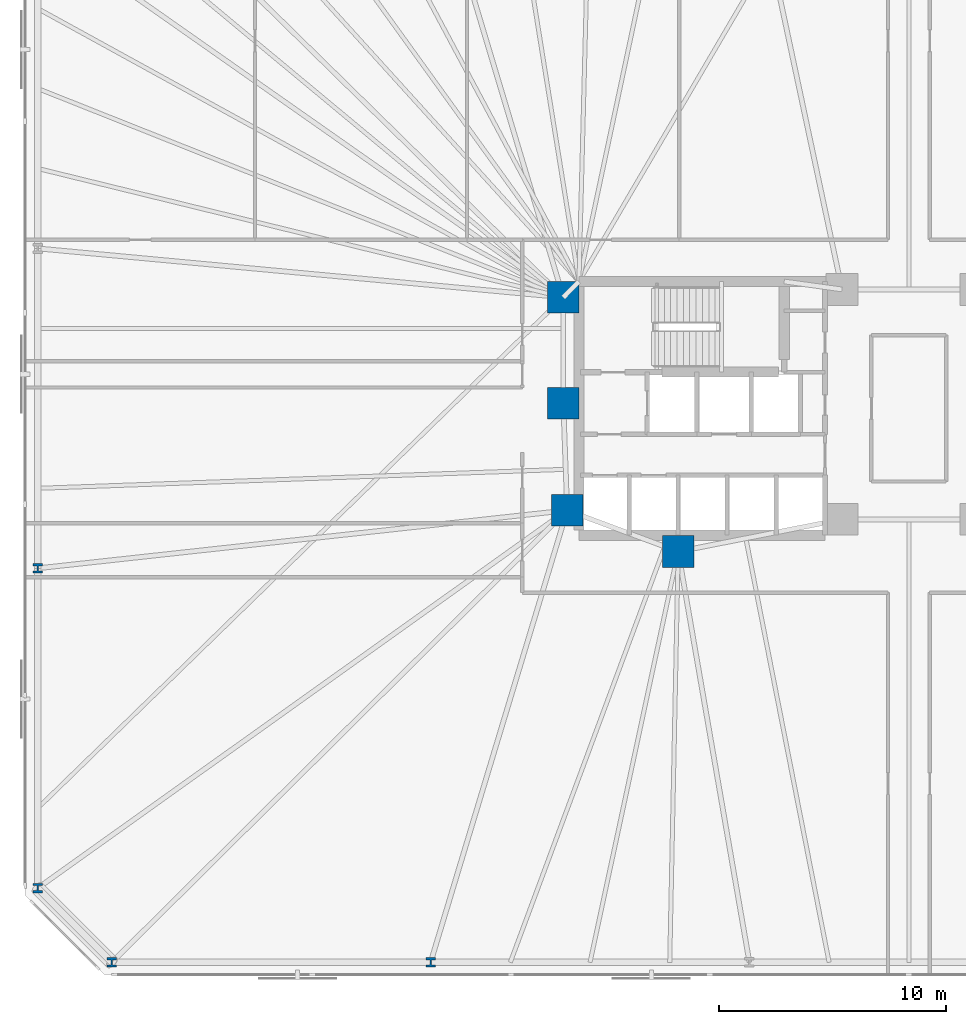
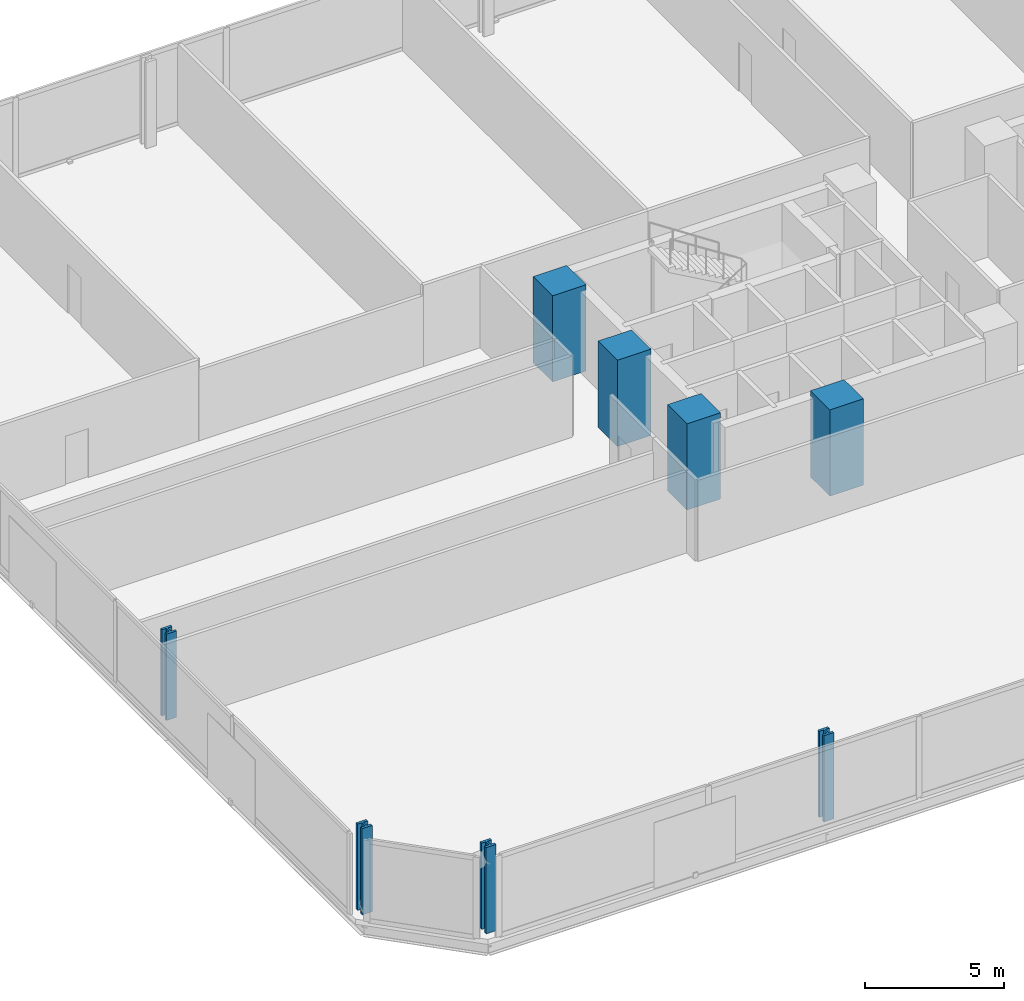
# One storey, part 1 of 16: 8 columns.
"""IFC4 building model written with IfcOpenShell, lengths in metres."""

import ifcopenshell
import ifcopenshell.guid

model = None  # the IFC model being written
_history = None  # IfcOwnerHistory: only IFC2X3 demands one
_inside = {}  # id of a spatial element -> (the spatial element, [elements in it])
_under = {}  # id of a project, library or spatial element -> (it, [spatial elements below it])
_declared = {}  # id of a project -> (the project, [libraries it declares])
_typed = {}  # id of a type object -> (the type object, [elements of that type])
_made_of = {}  # id of a material, layer set ... -> (it, [elements and type objects made of it])


def new_model(schema):
    """Start an empty IFC model of exactly this schema.

    Asked for "IFC4X3", IfcOpenShell would pick the latest addendum, in which some entities
    have other attributes; the version numbers below select the first issue.
    IFC2X3 requires an IfcOwnerHistory on every rooted entity: one is made here for all.
    """
    global model, _history
    if schema == "IFC4X3":
        model = ifcopenshell.file(schema_version=(4, 3, 0, 0))
    else:
        model = ifcopenshell.file(schema=schema)
    _inside.clear()
    _under.clear()
    _declared.clear()
    _typed.clear()
    _made_of.clear()
    _history = None
    if model.schema == "IFC2X3":
        org = make("IfcOrganization", Name="unknown")
        user = make(
            "IfcPersonAndOrganization",
            ThePerson=make("IfcPerson", FamilyName="unknown"),
            TheOrganization=org,
        )
        app = make(
            "IfcApplication",
            ApplicationDeveloper=org,
            Version="unknown",
            ApplicationFullName="unknown",
            ApplicationIdentifier="unknown",
        )
        _history = make(
            "IfcOwnerHistory",
            OwningUser=user,
            OwningApplication=app,
            ChangeAction="ADDED",
            CreationDate=0,
        )
    return model


def make(cls, **values):
    """One entity of the class cls with the attributes given. An attribute that is None is left unset."""
    return model.create_entity(
        cls, **{name: value for name, value in values.items() if value is not None}
    )


def rooted(cls, **values):
    """An entity with a GlobalId (a new one), such as an element, a storey or a relation."""
    return make(cls, GlobalId=ifcopenshell.guid.new(), OwnerHistory=_history, **values)


def si_unit(unit_type, name, prefix=None):
    """IfcSIUnit, for example si_unit("LENGTHUNIT", "METRE", prefix="MILLI")."""
    return make("IfcSIUnit", UnitType=unit_type, Prefix=prefix, Name=name)


def assignment(units):
    """IfcUnitAssignment: the units of a project."""
    return None if units is None else make("IfcUnitAssignment", Units=units)


def point(xyz):
    """IfcCartesianPoint."""
    return None if xyz is None else make("IfcCartesianPoint", Coordinates=xyz)


def direction(xyz):
    """IfcDirection."""
    return None if xyz is None else make("IfcDirection", DirectionRatios=xyz)


def frame(location, z_axis=None, x_axis=None):
    """IfcAxis2Placement3D, a coordinate frame: its origin and axes. An axis left out is left unset."""
    return make(
        "IfcAxis2Placement3D",
        Location=point(location),
        Axis=direction(z_axis),
        RefDirection=direction(x_axis),
    )


def frame_2d(location, x_axis=None):
    """IfcAxis2Placement2D, a coordinate frame in the plane: its origin and x axis."""
    return make(
        "IfcAxis2Placement2D", Location=point(location), RefDirection=direction(x_axis)
    )


def origin():
    """The frame at (0, 0, 0) with its axes left unset."""
    return frame((0.0, 0.0, 0.0))


def origin_2d():
    """The frame at (0, 0) in the plane with its x axis left unset."""
    return frame_2d((0.0, 0.0))


def place(relative_to, where):
    """IfcLocalPlacement: puts the frame where relative to a parent placement (None: the world)."""
    return make(
        "IfcLocalPlacement", PlacementRelTo=relative_to, RelativePlacement=where
    )


def context(
    kind, dimensions, precision=None, world=None, true_north=None, identifier=None
):
    """IfcGeometricRepresentationContext, for example the 3D "Model" context."""
    return make(
        "IfcGeometricRepresentationContext",
        ContextIdentifier=identifier,
        ContextType=kind,
        CoordinateSpaceDimension=dimensions,
        Precision=precision,
        WorldCoordinateSystem=world,
        TrueNorth=true_north,
    )


def subcontext(parent, identifier, kind, view, scale=None):
    """IfcGeometricRepresentationSubContext, for example "Body" below "Model"."""
    return make(
        "IfcGeometricRepresentationSubContext",
        ContextIdentifier=identifier,
        ContextType=kind,
        ParentContext=parent,
        TargetScale=scale,
        TargetView=view,
    )


def project(units=None, contexts=None):
    """IfcProject with its units and contexts."""
    return rooted(
        "IfcProject",
        Name="project",
        RepresentationContexts=contexts,
        UnitsInContext=assignment(units),
    )


def spatial(cls, under=None, at=None, **own):
    """A site, building, storey or space (cls), placed at a placement, below another one or the project."""
    s = rooted(cls, ObjectPlacement=at, **own)
    if under is not None:
        _under.setdefault(under.id(), (under, []))[1].append(s)
    return s


def profile(cls, at=None, kind="AREA", **sizes):
    """A parametric profile (cls). Its sizes go by their IFC names, for example OverallWidth=200.0."""
    return make(cls, ProfileType=kind, Position=at, **sizes)


def rectangle(**sizes):
    """IfcRectangleProfileDef."""
    return profile("IfcRectangleProfileDef", **sizes)


def i_section(**sizes):
    """IfcIShapeProfileDef."""
    return profile("IfcIShapeProfileDef", **sizes)


def extrude(swept, where, along, depth):
    """IfcExtrudedAreaSolid: the profile swept, set in the frame where, extruded along a direction by depth."""
    return make(
        "IfcExtrudedAreaSolid",
        SweptArea=swept,
        Position=where,
        ExtrudedDirection=direction(along),
        Depth=depth,
    )


def shape(context_of_items, identifier, shape_type, items):
    """IfcShapeRepresentation: the items that make up one representation, for example the "Body"."""
    return make(
        "IfcShapeRepresentation",
        ContextOfItems=context_of_items,
        RepresentationIdentifier=identifier,
        RepresentationType=shape_type,
        Items=items,
    )


def material(Name=None, Category=None):
    """IfcMaterial."""
    return make("IfcMaterial", Name=Name, Category=Category)


def material_profile(
    of_material, cross_section, Name=None, Category=None, Priority=None
):
    """IfcMaterialProfile: a cross section and its material."""
    return make(
        "IfcMaterialProfile",
        Name=Name,
        Material=of_material,
        Profile=cross_section,
        Priority=Priority,
        Category=Category,
    )


def profile_set(profiles, Name=None, composite=None):
    """IfcMaterialProfileSet."""
    return make(
        "IfcMaterialProfileSet",
        Name=Name,
        MaterialProfiles=profiles,
        CompositeProfile=composite,
    )


def made_of(thing, what):
    """Note that an element or type object is made of a material, layer set ...; save() writes the relation."""
    if what is not None:
        _made_of.setdefault(what.id(), (what, []))[1].append(thing)
    return thing


def type_object(cls, material=None, **own):
    """A type object (cls), such as IfcWallType, which elements share."""
    return made_of(rooted(cls, **own), material)


def element(
    cls,
    number,
    at=None,
    inside=None,
    cuts=None,
    type_object=None,
    material=None,
    context=None,
    identifier="Body",
    shape_type=None,
    held_by="IfcProductDefinitionShape",
    body=None,
    shapes=None,
    **own,
):
    """One element of the class cls, such as IfcWall. Its Tag is "e" and its number.

    at: its placement. inside: the storey or other place that contains it. cuts: it is an
    opening in that element (IfcRelVoidsElement). A single representation is given by context,
    identifier, shape_type and body (its items); several are given by shapes. held_by: the class
    of the entity that holds the representations. save() writes the other relations.
    """
    e = rooted(cls, Tag="e%d" % number, ObjectPlacement=at, **own)
    if body is not None:
        shapes = [shape(context, identifier, shape_type, body)]
    if shapes is not None:
        e.Representation = make(held_by, Representations=shapes)
    if inside is not None:
        _inside.setdefault(inside.id(), (inside, []))[1].append(e)
    if cuts is not None:
        rooted(
            "IfcRelVoidsElement", RelatingBuildingElement=cuts, RelatedOpeningElement=e
        )
    if type_object is not None:
        _typed.setdefault(type_object.id(), (type_object, []))[1].append(e)
    return made_of(e, material)


def aggregate(whole, parts):
    """IfcRelAggregates: a whole, such as a stair, and the parts it consists of."""
    return rooted("IfcRelAggregates", RelatingObject=whole, RelatedObjects=parts)


def save(model, path):
    """Write the relations noted so far, then the file.

    IfcRelAggregates (storeys below a building ...), IfcRelContainedInSpatialStructure (elements
    in a storey), IfcRelDefinesByType, IfcRelAssociatesMaterial and IfcRelDeclares: one each for
    every whole, place, type object, material and project.
    """
    for whole, parts in _under.values():
        aggregate(whole, parts)
    for where, things in _inside.values():
        rooted(
            "IfcRelContainedInSpatialStructure",
            RelatedElements=things,
            RelatingStructure=where,
        )
    for kind, things in _typed.values():
        rooted("IfcRelDefinesByType", RelatedObjects=things, RelatingType=kind)
    for what, things in _made_of.values():
        rooted("IfcRelAssociatesMaterial", RelatedObjects=things, RelatingMaterial=what)
    for by, libraries in _declared.values():
        rooted("IfcRelDeclares", RelatingContext=by, RelatedDefinitions=libraries)
    model.write(path)


model = new_model("IFC4")

# Units and contexts
model_context = context("Model", 3, precision=1e-05, world=origin(), true_north=direction((0.0, 1.0)))
body_context = subcontext(model_context, "Body", "Model", "MODEL_VIEW")
ifc_project = project(units=[si_unit("LENGTHUNIT", "METRE"), si_unit("AREAUNIT", "SQUARE_METRE"), si_unit("VOLUMEUNIT", "CUBIC_METRE"), si_unit("PLANEANGLEUNIT", "RADIAN"), si_unit("MASSUNIT", "GRAM", prefix="KILO")], contexts=[model_context])

# Site, building, storey
site_placement = place(None, origin())
site = spatial("IfcSite", under=ifc_project, at=site_placement, CompositionType="ELEMENT")
building_placement = place(site_placement, origin())
building = spatial("IfcBuilding", under=site, at=building_placement, Name="Menara Jurai Vektor", CompositionType="ELEMENT")
storey_placement = place(building_placement, frame((0.0, 0.0, 59.800048828125)))
storey = spatial("IfcBuildingStorey", under=building, at=storey_placement, Name="L14", CompositionType="ELEMENT", Elevation=59.800048828125)

# Columns
ifc_material_1 = material(Name="Concrete C60/75", Category="concrete")
ifc_material_profile_1 = material_profile(ifc_material_1, rectangle(XDim=1.39990234375, YDim=1.39990234375, at=origin_2d()), Name="RC 1400x1400")
ifc_profile_set_1 = profile_set([ifc_material_profile_1], Name="Concrete C60/75")
column_type_1 = type_object("IfcColumnType", Name="STR-COL-RC1400", PredefinedType="COLUMN", material=ifc_profile_set_1)
for number, where, z_axis, x_axis, name in (
    (1, (-15.25, 4.89990234375, 0.0), (0.0, 0.0, 1.0), (1.0, 0.0, 0.0), "Core Spine Column CW-NW L14"),
    (2, (-15.25, 0.219970703125, 0.0), (0.0, 0.0, 1.0), (1.0, 0.0, 0.0), "Core Spine Column CW-WM L14"),
    (3, (-15.080078125, -4.5, 0.0), (0.0, 0.0, 1.0), (1.0, 0.0, 0.0), "Core Spine Column CW-SW L14"),
    (4, (-10.179931640625, -6.320068359375, 0.0), (0.0, 0.0, 1.0), (1.0, 0.0, 0.0), "Core Spine Column CW-SM L14"),
):
    element("IfcColumn", number, at=place(storey_placement, frame(where, z_axis=z_axis, x_axis=x_axis)), inside=storey, type_object=column_type_1, Name=name, PredefinedType="COLUMN", context=body_context, shape_type="SweptSolid", body=[
        extrude(rectangle(XDim=1.39990234375, YDim=1.39990234375, at=origin_2d()), origin(), (0.0, 0.0, 1.0), 3.800048828125),
    ])
ifc_material_2 = material(Name="Steel S460", Category="steel")
ifc_material_profile_2 = material_profile(ifc_material_2, i_section(OverallWidth=0.419921875, OverallDepth=0.430908203125, WebThickness=0.06494140625, FlangeThickness=0.10595703125, FilletRadius=0.014892578125, at=origin_2d()), Name="HD 400x900")
ifc_profile_set_2 = profile_set([ifc_material_profile_2], Name="Steel S460")
column_type_2 = type_object("IfcColumnType", Name="STR-EXO-BLK1", PredefinedType="COLUMN", material=ifc_profile_set_2)
for number, where, z_axis, x_axis, name in (
    (5, (-35.177734375, -24.449951171875, 0.0), (0.0, 0.0, 1.0), (1.0, 0.0, 0.0), "Exoskeleton Column BLK1-S1 L14"),
    (6, (-21.106689453125, -24.449951171875, 0.0), (0.0, 0.0, 1.0), (1.0, 0.0, 0.0), "Exoskeleton Column BLK1-S2 L14"),
    (7, (-38.449951171875, -7.059326171875, 0.0), (0.0, 0.0, 1.0), (1.0, 0.0, 0.0), "Exoskeleton Column BLK1-W3 L14"),
    (8, (-38.449951171875, -21.177734375, 0.0), (0.0, 0.0, 1.0), (1.0, 0.0, 0.0), "Exoskeleton Column BLK1-W4 L14"),
):
    element("IfcColumn", number, at=place(storey_placement, frame(where, z_axis=z_axis, x_axis=x_axis)), inside=storey, type_object=column_type_2, Name=name, PredefinedType="COLUMN", context=body_context, shape_type="SweptSolid", body=[
        extrude(i_section(OverallWidth=0.419921875, OverallDepth=0.430908203125, WebThickness=0.06494140625, FlangeThickness=0.10595703125, FilletRadius=0.014892578125, at=origin_2d()), origin(), (0.0, 0.0, 1.0), 3.800048828125),
    ])

save(model, "model.ifc")
